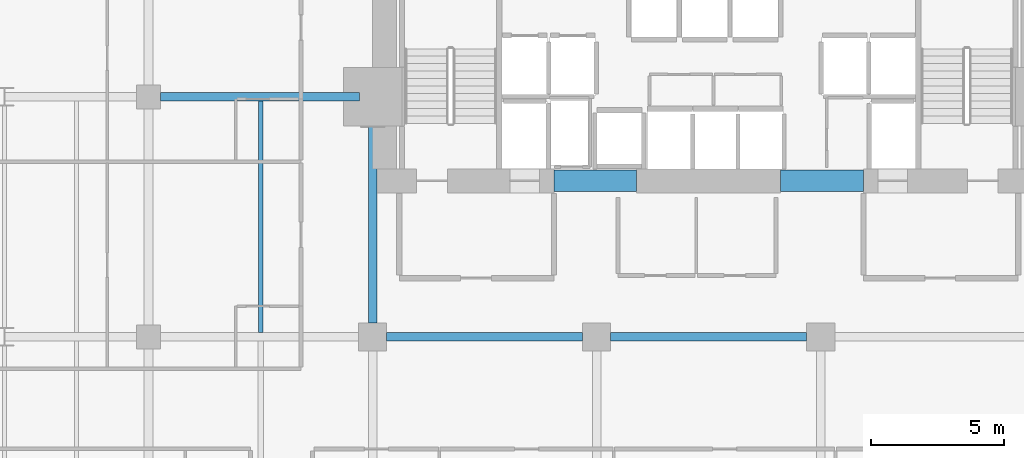
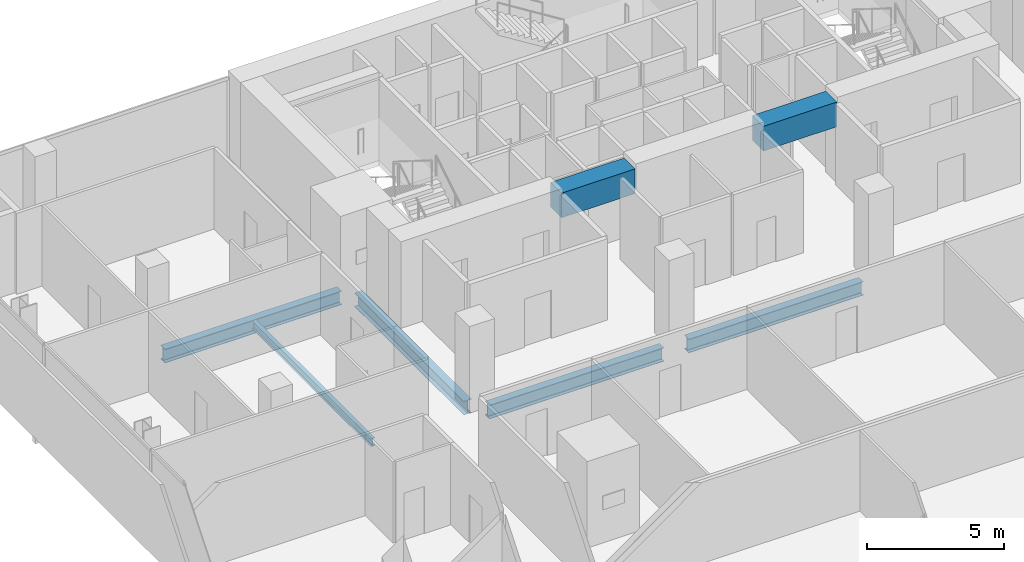
# One storey, part 24 of 40: 7 beams.
"""IFC4 building model written with IfcOpenShell, lengths in metres."""

from ifc_helpers import new_model, si_unit, direction, frame, origin, origin_2d, place, context, subcontext, project, spatial, rectangle, i_section, extrude, material, material_profile, profile_set, type_object, element, save


model = new_model("IFC4")

# Units and contexts
model_context = context("Model", 3, precision=1e-05, world=origin(), true_north=direction((0.0, 1.0)))
body_context = subcontext(model_context, "Body", "Model", "MODEL_VIEW")
ifc_project = project(units=[si_unit("LENGTHUNIT", "METRE"), si_unit("AREAUNIT", "SQUARE_METRE"), si_unit("VOLUMEUNIT", "CUBIC_METRE"), si_unit("PLANEANGLEUNIT", "RADIAN"), si_unit("MASSUNIT", "GRAM", prefix="KILO")], contexts=[model_context])

# Site, building, storey
site_placement = place(None, origin())
site = spatial("IfcSite", under=ifc_project, at=site_placement, CompositionType="ELEMENT")
building_placement = place(site_placement, origin())
building = spatial("IfcBuilding", under=site, at=building_placement, Name="Maruvema Waterfront Hotel and Observation Tower", CompositionType="ELEMENT")
storey_placement = place(building_placement, frame((0.0, 0.0, 96.25)))
storey = spatial("IfcBuildingStorey", under=building, at=storey_placement, Name="L23", CompositionType="ELEMENT", Elevation=96.25)

# Beams
ifc_material_1 = material(Name="Concrete C60/75", Category="concrete")
ifc_material_profile_1 = material_profile(ifc_material_1, rectangle(XDim=0.800048828125, YDim=1.10009765625, at=origin_2d()), Name="CB800x1100")
ifc_profile_set_1 = profile_set([ifc_material_profile_1], Name="Concrete C60/75")
beam_type_1 = type_object("IfcBeamType", Name="Core Coupling Lintel Beam CB800x1100", PredefinedType="LINTEL", material=ifc_profile_set_1)
for number, where, z_axis, x_axis, name in (
    (1, (32.0, 41.85009765625, 3.06005859375), (1.0, 0.0, 0.0), (0.0, 1.0, 0.0), "L23 Core Coupling Lintel Beam West"),
    (2, (40.5, 41.85009765625, 3.06005859375), (1.0, 0.0, 0.0), (0.0, 1.0, 0.0), "L23 Core Coupling Lintel Beam East"),
):
    element("IfcBeam", number, at=place(storey_placement, frame(where, z_axis=z_axis, x_axis=x_axis)), inside=storey, type_object=beam_type_1, Name=name, PredefinedType="LINTEL", context=body_context, shape_type="SweptSolid", body=[
        extrude(rectangle(XDim=0.800048828125, YDim=1.10009765625, at=origin_2d()), origin(), (0.0, 0.0, 1.0), 3.10009765625),
    ])
ifc_material_2 = material(Name="Steel ASTM A572 Grade 50", Category="steel")
ifc_material_profile_2 = material_profile(ifc_material_2, i_section(OverallWidth=0.323974609375, OverallDepth=0.611083984375, WebThickness=0.0126953125, FlangeThickness=0.01904296875, FilletRadius=0.01806640625, at=origin_2d()), Name="W610x155.0")
ifc_profile_set_2 = profile_set([ifc_material_profile_2], Name="Steel ASTM A572 Grade 50")
beam_type_2 = type_object("IfcBeamType", Name="Primary Floor Girder W610x155.0", PredefinedType="BEAM", material=ifc_profile_set_2)
beam_1_placement = place(storey_placement, frame((25.72509765625, 36.0, -0.54541015625), z_axis=(1.0, 0.0, 0.0), x_axis=(0.0, 1.0, 0.0)))
element("IfcBeam", 3, at=beam_1_placement, inside=storey, type_object=beam_type_2, Name="L23 Floor Girder EW-27", PredefinedType="BEAM", context=body_context, shape_type="SweptSolid", body=[
    extrude(i_section(OverallWidth=0.323974609375, OverallDepth=0.611083984375, WebThickness=0.0126953125, FlangeThickness=0.01904296875, FilletRadius=0.01806640625, at=origin_2d()), origin(), (0.0, 0.0, 1.0), 7.349853515625),
])
beam_2_placement = place(storey_placement, frame((34.125, 36.0, -0.54541015625), z_axis=(1.0, 0.0, 0.0), x_axis=(0.0, 1.0, 0.0)))
element("IfcBeam", 4, at=beam_2_placement, inside=storey, type_object=beam_type_2, Name="L23 Floor Girder EW-28", PredefinedType="BEAM", context=body_context, shape_type="SweptSolid", body=[
    extrude(i_section(OverallWidth=0.323974609375, OverallDepth=0.611083984375, WebThickness=0.0126953125, FlangeThickness=0.01904296875, FilletRadius=0.01806640625, at=origin_2d()), origin(), (0.0, 0.0, 1.0), 7.35009765625),
])
beam_3_placement = place(storey_placement, frame((17.25, 45.0, -0.54541015625), z_axis=(1.0, 0.0, 0.0), x_axis=(0.0, 1.0, 0.0)))
element("IfcBeam", 5, at=beam_3_placement, inside=storey, type_object=beam_type_2, Name="L23 Floor Girder EW-33", PredefinedType="BEAM", context=body_context, shape_type="SweptSolid", body=[
    extrude(i_section(OverallWidth=0.323974609375, OverallDepth=0.611083984375, WebThickness=0.0126953125, FlangeThickness=0.01904296875, FilletRadius=0.01806640625, at=origin_2d()), origin(), (0.0, 0.0, 1.0), 7.449951171875),
])
beam_4_placement = place(storey_placement, frame((25.199951171875, 36.52490234375, -0.54541015625), z_axis=(0.0, 1.0, 0.0), x_axis=(-1.0, 0.0, 0.0)))
element("IfcBeam", 6, at=beam_4_placement, inside=storey, type_object=beam_type_2, Name="L23 Floor Girder NS-15", PredefinedType="BEAM", context=body_context, shape_type="SweptSolid", body=[
    extrude(i_section(OverallWidth=0.323974609375, OverallDepth=0.611083984375, WebThickness=0.0126953125, FlangeThickness=0.01904296875, FilletRadius=0.01806640625, at=origin_2d()), origin(), (0.0, 0.0, 1.0), 7.97509765625),
])
ifc_material_3 = material(Name="Steel ASTM A572 Grade 50", Category="steel")
ifc_material_profile_3 = material_profile(ifc_material_3, i_section(OverallWidth=0.1708984375, OverallDepth=0.35498046875, WebThickness=0.007080078125, FlangeThickness=0.01171875, FilletRadius=0.014892578125, at=origin_2d()), Name="W360x51.0")
ifc_profile_set_3 = profile_set([ifc_material_profile_3], Name="Steel ASTM A572 Grade 50")
beam_type_3 = type_object("IfcBeamType", Name="Secondary Floor Joist W360x51.0", PredefinedType="JOIST", material=ifc_profile_set_3)
beam_5_placement = place(storey_placement, frame((21.0, 36.162109375, -0.41748046875), z_axis=(0.0, 1.0, 0.0), x_axis=(-1.0, 0.0, 0.0)))
element("IfcBeam", 7, at=beam_5_placement, inside=storey, type_object=beam_type_3, Name="L23 Secondary Floor Joist JS-09", PredefinedType="JOIST", context=body_context, shape_type="SweptSolid", body=[
    extrude(i_section(OverallWidth=0.1708984375, OverallDepth=0.35498046875, WebThickness=0.007080078125, FlangeThickness=0.01171875, FilletRadius=0.014892578125, at=origin_2d()), origin(), (0.0, 0.0, 1.0), 8.67578125),
])

save(model, "model.ifc")
